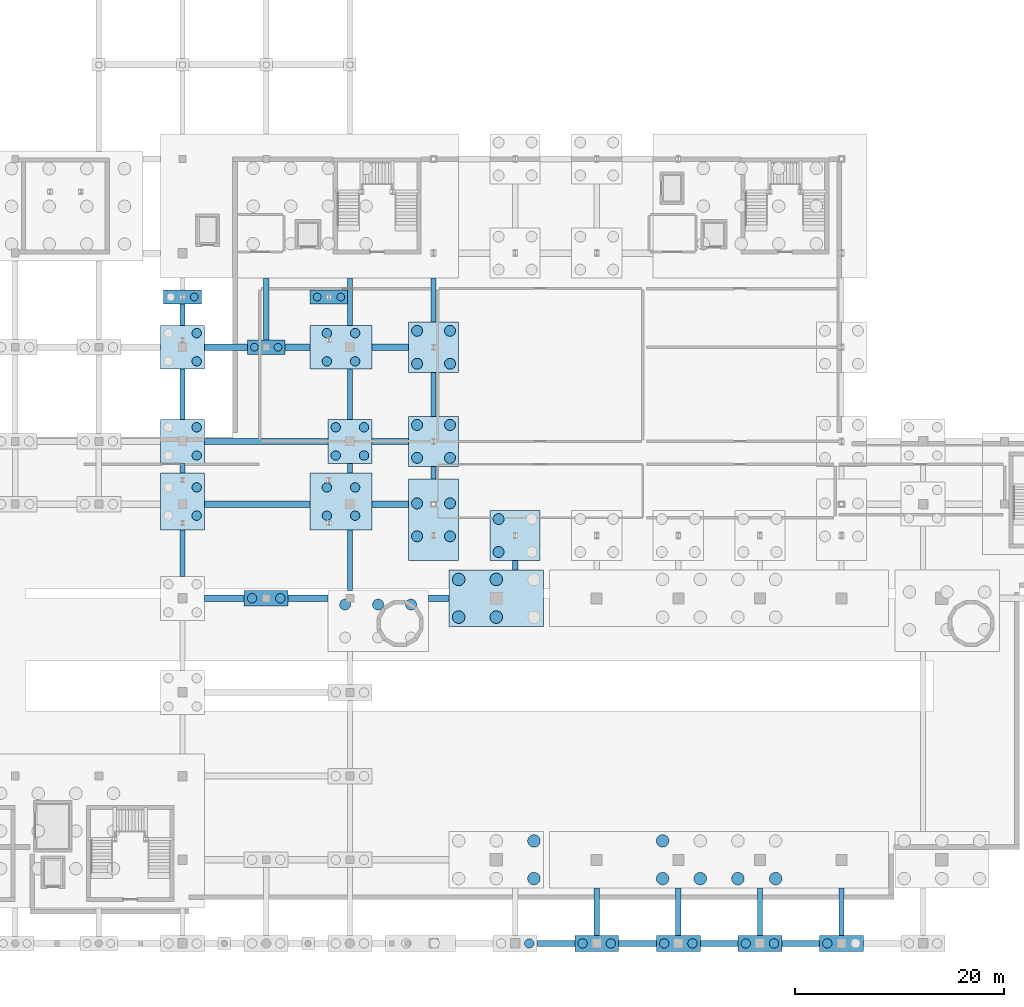
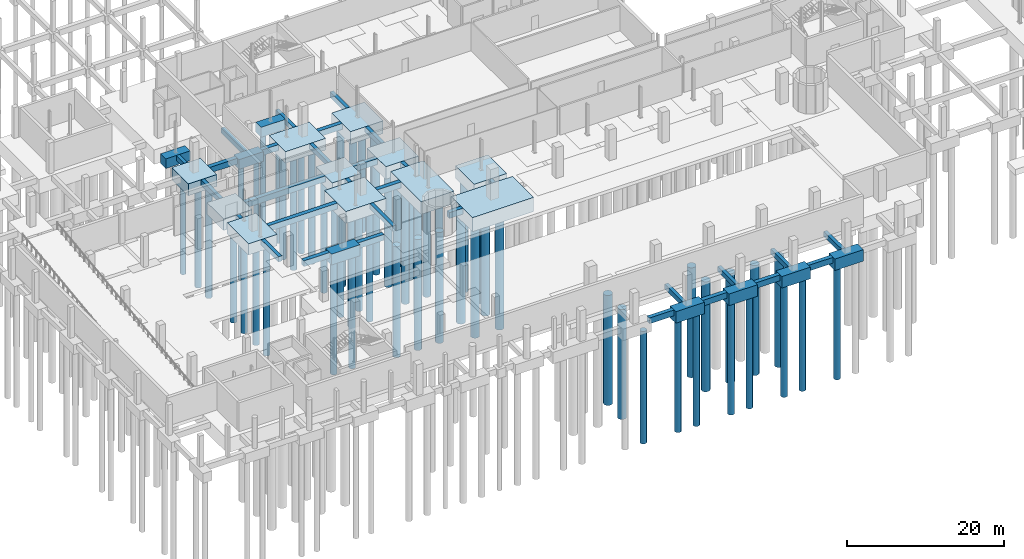
# One storey, part 3 of 32: 61 piles, 50 footings.
"""IFC4 building model written with IfcOpenShell, lengths in metres."""

from ifc_helpers import new_model, si_unit, derived_unit, direction, frame, origin, origin_2d, place, context, subcontext, project, spatial, rectangle, circle, extrude, material, material_profile, profile_set, type_object, element, save


model = new_model("IFC4")

# Units and contexts
model_context = context("Model", 3, precision=1e-05, world=origin(), true_north=direction((0.0, 1.0)))
body_context = subcontext(model_context, "Body", "Model", "MODEL_VIEW")
ifc_project = project(units=[si_unit("LENGTHUNIT", "METRE"), si_unit("AREAUNIT", "SQUARE_METRE"), si_unit("VOLUMEUNIT", "CUBIC_METRE"), si_unit("PLANEANGLEUNIT", "RADIAN"), si_unit("MASSUNIT", "GRAM", prefix="KILO"), derived_unit("THERMALTRANSMITTANCEUNIT", [(si_unit("POWERUNIT", "WATT"), 1), (si_unit("LENGTHUNIT", "METRE"), -2), (si_unit("THERMODYNAMICTEMPERATUREUNIT", "KELVIN"), -1)])], contexts=[model_context])

# Site, building, storey
site_placement = place(None, origin())
site = spatial("IfcSite", under=ifc_project, at=site_placement, CompositionType="ELEMENT")
building_placement = place(site_placement, origin())
building = spatial("IfcBuilding", under=site, at=building_placement, Name="Nallur Shell Playhouse", CompositionType="ELEMENT")
storey_placement = place(building_placement, frame((0.0, 0.0, -4.800048828125)))
storey = spatial("IfcBuildingStorey", under=building, at=storey_placement, Name="B1", CompositionType="ELEMENT", Elevation=-4.800048828125)

# Footings
ifc_material = material(Name="Concrete M35", Category="concrete")
footing_type_1 = type_object("IfcFootingType", Name="FT-PC-360x135x150", PredefinedType="PILE_CAP", material=ifc_material)
for number, where, z_axis, x_axis, name in (
    (1, (48.0, 65.0, -1.5), (0.0, 0.0, 1.0), (1.0, 0.0, 0.0), "Pile cap PC-043"),
    (2, (40.0, 69.800048828125, -1.5), (0.0, 0.0, 1.0), (1.0, 0.0, 0.0), "Pile cap PC-092"),
):
    element("IfcFooting", number, at=place(storey_placement, frame(where, z_axis=z_axis, x_axis=x_axis)), inside=storey, type_object=footing_type_1, Name=name, PredefinedType="PILE_CAP", context=body_context, shape_type="SweptSolid", body=[
        extrude(rectangle(XDim=3.60009765625, YDim=1.35009765625, at=origin_2d()), origin(), (0.0, 0.0, 1.0), 1.5),
    ])
footing_type_2 = type_object("IfcFootingType", Name="FT-PC-360x135x155", PredefinedType="PILE_CAP", material=ifc_material)
footing_1_placement = place(storey_placement, frame((54.0, 69.800048828125, -1.5498046875), z_axis=(0.0, 0.0, 1.0), x_axis=(1.0, 0.0, 0.0)))
element("IfcFooting", 3, at=footing_1_placement, inside=storey, type_object=footing_type_2, Name="Pile cap PC-093", PredefinedType="PILE_CAP", context=body_context, shape_type="SweptSolid", body=[
    extrude(rectangle(XDim=3.60009765625, YDim=1.35009765625, at=origin_2d()), origin(), (0.0, 0.0, 1.0), 1.550048828125),
])
footing_type_3 = type_object("IfcFootingType", Name="FT-PC-420x150x170", PredefinedType="PILE_CAP", material=ifc_material)
footing_2_placement = place(storey_placement, frame((48.0, 41.0, -1.69970703125), z_axis=(0.0, 0.0, 1.0), x_axis=(1.0, 0.0, 0.0)))
element("IfcFooting", 4, at=footing_2_placement, inside=storey, type_object=footing_type_3, Name="Pile cap PC-042", PredefinedType="PILE_CAP", context=body_context, shape_type="SweptSolid", body=[
    extrude(rectangle(XDim=4.199951171875, YDim=1.5, at=origin_2d()), origin(), (0.0, 0.0, 1.0), 1.699951171875),
])
footing_type_4 = type_object("IfcFootingType", Name="FT-PC-420x150x180", PredefinedType="PILE_CAP", material=ifc_material)
for number, where, z_axis, x_axis, name in (
    (5, (79.60009765625, 8.0, -1.7998046875), (0.0, 0.0, 1.0), (1.0, 0.0, 0.0), "Pile cap PC-067"),
    (6, (87.39990234375, 8.0, -1.7998046875), (0.0, 0.0, 1.0), (1.0, 0.0, 0.0), "Pile cap PC-070"),
    (7, (95.199951171875, 8.0, -1.7998046875), (0.0, 0.0, 1.0), (1.0, 0.0, 0.0), "Pile cap PC-072"),
    (8, (103.0, 8.0, -1.7998046875), (0.0, 0.0, 1.0), (1.0, 0.0, 0.0), "Pile cap PC-073"),
):
    element("IfcFooting", number, at=place(storey_placement, frame(where, z_axis=z_axis, x_axis=x_axis)), inside=storey, type_object=footing_type_4, Name=name, PredefinedType="PILE_CAP", context=body_context, shape_type="SweptSolid", body=[
        extrude(rectangle(XDim=4.199951171875, YDim=1.5, at=origin_2d()), origin(), (0.0, 0.0, 1.0), 1.800048828125),
    ])
footing_type_5 = type_object("IfcFootingType", Name="FT-PC-420x420x175", PredefinedType="PILE_CAP", material=ifc_material)
footing_3_placement = place(storey_placement, frame((56.0, 56.0, -1.75), z_axis=(0.0, 0.0, 1.0), x_axis=(1.0, 0.0, 0.0)))
element("IfcFooting", 9, at=footing_3_placement, inside=storey, type_object=footing_type_5, Name="Pile cap PC-054", PredefinedType="PILE_CAP", context=body_context, shape_type="SweptSolid", body=[
    extrude(rectangle(XDim=4.199951171875, YDim=4.199951171875, at=origin_2d()), origin(), (0.0, 0.0, 1.0), 1.75),
])
footing_type_6 = type_object("IfcFootingType", Name="FT-PC-420x420x180", PredefinedType="PILE_CAP", material=ifc_material)
footing_4_placement = place(storey_placement, frame((40.0, 56.0, -1.7998046875), z_axis=(0.0, 0.0, 1.0), x_axis=(1.0, 0.0, 0.0)))
element("IfcFooting", 10, at=footing_4_placement, inside=storey, type_object=footing_type_6, Name="Pile cap PC-033", PredefinedType="PILE_CAP", context=body_context, shape_type="SweptSolid", body=[
    extrude(rectangle(XDim=4.199951171875, YDim=4.199951171875, at=origin_2d()), origin(), (0.0, 0.0, 1.0), 1.800048828125),
])
footing_type_7 = type_object("IfcFootingType", Name="FT-PC-420x420x185", PredefinedType="PILE_CAP", material=ifc_material)
footing_5_placement = place(storey_placement, frame((40.0, 65.0, -1.85009765625), z_axis=(0.0, 0.0, 1.0), x_axis=(1.0, 0.0, 0.0)))
element("IfcFooting", 11, at=footing_5_placement, inside=storey, type_object=footing_type_7, Name="Pile cap PC-034", PredefinedType="PILE_CAP", context=body_context, shape_type="SweptSolid", body=[
    extrude(rectangle(XDim=4.199951171875, YDim=4.199951171875, at=origin_2d()), origin(), (0.0, 0.0, 1.0), 1.85009765625),
])
footing_type_8 = type_object("IfcFootingType", Name="FT-PC-420x545x175", PredefinedType="PILE_CAP", material=ifc_material)
footing_6_placement = place(storey_placement, frame((40.0, 50.25, -1.75), z_axis=(0.0, 0.0, 1.0), x_axis=(1.0, 0.0, 0.0)))
element("IfcFooting", 12, at=footing_6_placement, inside=storey, type_object=footing_type_8, Name="Pile cap PC-032", PredefinedType="PILE_CAP", context=body_context, shape_type="SweptSolid", body=[
    extrude(rectangle(XDim=4.199951171875, YDim=5.449951171875, at=origin_2d()), origin(), (0.0, 0.0, 1.0), 1.75),
])
footing_type_9 = type_object("IfcFootingType", Name="FT-PC-480x480x195", PredefinedType="PILE_CAP", material=ifc_material)
for number, where, z_axis, x_axis, name in (
    (13, (64.0, 56.0, -1.94970703125), (0.0, 0.0, 1.0), (1.0, 0.0, 0.0), "Pile cap PC-062"),
    (14, (64.0, 65.0, -1.94970703125), (0.0, 0.0, 1.0), (1.0, 0.0, 0.0), "Pile cap PC-063"),
    (15, (71.800048828125, 47.0, -1.94970703125), (0.0, 0.0, 1.0), (1.0, 0.0, 0.0), "Pile cap PC-094"),
):
    element("IfcFooting", number, at=place(storey_placement, frame(where, z_axis=z_axis, x_axis=x_axis)), inside=storey, type_object=footing_type_9, Name=name, PredefinedType="PILE_CAP", context=body_context, shape_type="SweptSolid", body=[
        extrude(rectangle(XDim=4.800048828125, YDim=4.800048828125, at=origin_2d()), origin(), (0.0, 0.0, 1.0), 1.949951171875),
    ])
footing_type_10 = type_object("IfcFootingType", Name="FT-PC-480x780x195", PredefinedType="PILE_CAP", material=ifc_material)
footing_7_placement = place(storey_placement, frame((64.0, 48.5, -1.94970703125), z_axis=(0.0, 0.0, 1.0), x_axis=(1.0, 0.0, 0.0)))
element("IfcFooting", 16, at=footing_7_placement, inside=storey, type_object=footing_type_10, Name="Pile cap PC-061", PredefinedType="PILE_CAP", context=body_context, shape_type="SweptSolid", body=[
    extrude(rectangle(XDim=4.800048828125, YDim=7.800048828125, at=origin_2d()), origin(), (0.0, 0.0, 1.0), 1.949951171875),
])
footing_type_11 = type_object("IfcFootingType", Name="FT-PC-590x420x180", PredefinedType="PILE_CAP", material=ifc_material)
footing_8_placement = place(storey_placement, frame((55.14990234375, 65.0, -1.7998046875), z_axis=(0.0, 0.0, 1.0), x_axis=(1.0, 0.0, 0.0)))
element("IfcFooting", 17, at=footing_8_placement, inside=storey, type_object=footing_type_11, Name="Pile cap PC-055", PredefinedType="PILE_CAP", context=body_context, shape_type="SweptSolid", body=[
    extrude(rectangle(XDim=5.89990234375, YDim=4.199951171875, at=origin_2d()), origin(), (0.0, 0.0, 1.0), 1.800048828125),
])
footing_type_12 = type_object("IfcFootingType", Name="FT-PC-590x545x185", PredefinedType="PILE_CAP", material=ifc_material)
footing_9_placement = place(storey_placement, frame((55.14990234375, 50.25, -1.85009765625), z_axis=(0.0, 0.0, 1.0), x_axis=(1.0, 0.0, 0.0)))
element("IfcFooting", 18, at=footing_9_placement, inside=storey, type_object=footing_type_12, Name="Pile cap PC-053", PredefinedType="PILE_CAP", context=body_context, shape_type="SweptSolid", body=[
    extrude(rectangle(XDim=5.89990234375, YDim=5.449951171875, at=origin_2d()), origin(), (0.0, 0.0, 1.0), 1.85009765625),
])
footing_type_13 = type_object("IfcFootingType", Name="FT-PC-900x540x220", PredefinedType="PILE_CAP", material=ifc_material)
footing_10_placement = place(storey_placement, frame((70.0, 41.0, -2.19970703125), z_axis=(0.0, 0.0, 1.0), x_axis=(1.0, 0.0, 0.0)))
element("IfcFooting", 19, at=footing_10_placement, inside=storey, type_object=footing_type_13, Name="Pile cap PC-099", PredefinedType="PILE_CAP", context=body_context, shape_type="SweptSolid", body=[
    extrude(rectangle(XDim=9.0, YDim=5.39990234375, at=origin_2d()), origin(), (0.0, 0.0, 1.0), 2.199951171875),
])
ifc_material_profile_1 = material_profile(ifc_material, rectangle(XDim=0.5, YDim=0.800048828125, at=origin_2d()), Name="RC 500x800")
ifc_profile_set_1 = profile_set([ifc_material_profile_1], Name="Concrete M35")
footing_type_14 = type_object("IfcFootingType", Name="FT-TB-500x800", PredefinedType="FOOTING_BEAM", material=ifc_profile_set_1)
footing_11_placement = place(storey_placement, frame((40.0, 43.10009765625, -0.39990234375), z_axis=(0.0, 1.0, 0.0), x_axis=(-1.0, 0.0, 0.0)))
element("IfcFooting", 20, at=footing_11_placement, inside=storey, type_object=footing_type_14, Name="Ground tie beam TB-Y-110", PredefinedType="FOOTING_BEAM", context=body_context, shape_type="SweptSolid", body=[
    extrude(rectangle(XDim=0.5, YDim=0.800048828125, at=origin_2d()), origin(), (0.0, 0.0, 1.0), 4.4248046875),
])
footing_12_placement = place(storey_placement, frame((40.0, 52.97509765625, -0.39990234375), z_axis=(0.0, 1.0, 0.0), x_axis=(-1.0, 0.0, 0.0)))
element("IfcFooting", 21, at=footing_12_placement, inside=storey, type_object=footing_type_14, Name="Ground tie beam TB-Y-111", PredefinedType="FOOTING_BEAM", context=body_context, shape_type="SweptSolid", body=[
    extrude(rectangle(XDim=0.5, YDim=0.800048828125, at=origin_2d()), origin(), (0.0, 0.0, 1.0), 0.9248046875),
])
footing_13_placement = place(storey_placement, frame((40.0, 58.10009765625, -0.39990234375), z_axis=(0.0, 1.0, 0.0), x_axis=(-1.0, 0.0, 0.0)))
element("IfcFooting", 22, at=footing_13_placement, inside=storey, type_object=footing_type_14, Name="Ground tie beam TB-Y-112", PredefinedType="FOOTING_BEAM", context=body_context, shape_type="SweptSolid", body=[
    extrude(rectangle(XDim=0.5, YDim=0.800048828125, at=origin_2d()), origin(), (0.0, 0.0, 1.0), 4.7998046875),
])
footing_14_placement = place(storey_placement, frame((40.0, 67.10009765625, -0.39990234375), z_axis=(0.0, 1.0, 0.0), x_axis=(-1.0, 0.0, 0.0)))
element("IfcFooting", 23, at=footing_14_placement, inside=storey, type_object=footing_type_14, Name="Ground tie beam TB-Y-113", PredefinedType="FOOTING_BEAM", context=body_context, shape_type="SweptSolid", body=[
    extrude(rectangle(XDim=0.5, YDim=0.800048828125, at=origin_2d()), origin(), (0.0, 0.0, 1.0), 2.02490234375),
])
footing_15_placement = place(storey_placement, frame((48.0, 65.675048828125, -0.39990234375), z_axis=(0.0, 1.0, 0.0), x_axis=(-1.0, 0.0, 0.0)))
element("IfcFooting", 24, at=footing_15_placement, inside=storey, type_object=footing_type_14, Name="Ground tie beam TB-Y-120", PredefinedType="FOOTING_BEAM", context=body_context, shape_type="SweptSolid", body=[
    extrude(rectangle(XDim=0.5, YDim=0.800048828125, at=origin_2d()), origin(), (0.0, 0.0, 1.0), 5.925048828125),
])
footing_16_placement = place(storey_placement, frame((56.0, 41.75, -0.39990234375), z_axis=(0.0, 1.0, 0.0), x_axis=(-1.0, 0.0, 0.0)))
element("IfcFooting", 25, at=footing_16_placement, inside=storey, type_object=footing_type_14, Name="Ground tie beam TB-Y-129", PredefinedType="FOOTING_BEAM", context=body_context, shape_type="SweptSolid", body=[
    extrude(rectangle(XDim=0.5, YDim=0.800048828125, at=origin_2d()), origin(), (0.0, 0.0, 1.0), 5.77490234375),
])
footing_17_placement = place(storey_placement, frame((56.0, 52.97509765625, -0.39990234375), z_axis=(0.0, 1.0, 0.0), x_axis=(-1.0, 0.0, 0.0)))
element("IfcFooting", 26, at=footing_17_placement, inside=storey, type_object=footing_type_14, Name="Ground tie beam TB-Y-130", PredefinedType="FOOTING_BEAM", context=body_context, shape_type="SweptSolid", body=[
    extrude(rectangle(XDim=0.5, YDim=0.800048828125, at=origin_2d()), origin(), (0.0, 0.0, 1.0), 0.9248046875),
])
footing_18_placement = place(storey_placement, frame((56.0, 58.10009765625, -0.39990234375), z_axis=(0.0, 1.0, 0.0), x_axis=(-1.0, 0.0, 0.0)))
element("IfcFooting", 27, at=footing_18_placement, inside=storey, type_object=footing_type_14, Name="Ground tie beam TB-Y-131", PredefinedType="FOOTING_BEAM", context=body_context, shape_type="SweptSolid", body=[
    extrude(rectangle(XDim=0.5, YDim=0.800048828125, at=origin_2d()), origin(), (0.0, 0.0, 1.0), 4.7998046875),
])
footing_19_placement = place(storey_placement, frame((56.0, 67.10009765625, -0.39990234375), z_axis=(0.0, 1.0, 0.0), x_axis=(-1.0, 0.0, 0.0)))
element("IfcFooting", 28, at=footing_19_placement, inside=storey, type_object=footing_type_14, Name="Ground tie beam TB-Y-132", PredefinedType="FOOTING_BEAM", context=body_context, shape_type="SweptSolid", body=[
    extrude(rectangle(XDim=0.5, YDim=0.800048828125, at=origin_2d()), origin(), (0.0, 0.0, 1.0), 4.5),
])
footing_20_placement = place(storey_placement, frame((64.0, 52.39990234375, -0.39990234375), z_axis=(0.0, 1.0, 0.0), x_axis=(-1.0, 0.0, 0.0)))
element("IfcFooting", 29, at=footing_20_placement, inside=storey, type_object=footing_type_14, Name="Ground tie beam TB-Y-137", PredefinedType="FOOTING_BEAM", context=body_context, shape_type="SweptSolid", body=[
    extrude(rectangle(XDim=0.5, YDim=0.800048828125, at=origin_2d()), origin(), (0.0, 0.0, 1.0), 1.2001953125),
])
for number, where, z_axis, x_axis, name in (
    (30, (64.0, 58.39990234375, -0.39990234375), (0.0, 1.0, 0.0), (-1.0, 0.0, 0.0), "Ground tie beam TB-Y-138"),
    (31, (64.0, 67.39990234375, -0.39990234375), (0.0, 1.0, 0.0), (-1.0, 0.0, 0.0), "Ground tie beam TB-Y-139"),
):
    element("IfcFooting", number, at=place(storey_placement, frame(where, z_axis=z_axis, x_axis=x_axis)), inside=storey, type_object=footing_type_14, Name=name, PredefinedType="FOOTING_BEAM", context=body_context, shape_type="SweptSolid", body=[
        extrude(rectangle(XDim=0.5, YDim=0.800048828125, at=origin_2d()), origin(), (0.0, 0.0, 1.0), 4.2001953125),
    ])
footing_21_placement = place(storey_placement, frame((71.800048828125, 43.699951171875, -0.39990234375), z_axis=(0.0, 1.0, 0.0), x_axis=(-1.0, 0.0, 0.0)))
element("IfcFooting", 32, at=footing_21_placement, inside=storey, type_object=footing_type_14, Name="Ground tie beam TB-Y-141", PredefinedType="FOOTING_BEAM", context=body_context, shape_type="SweptSolid", body=[
    extrude(rectangle(XDim=0.5, YDim=0.800048828125, at=origin_2d()), origin(), (0.0, 0.0, 1.0), 0.900146484375),
])
for number, where, z_axis, x_axis, name in (
    (33, (79.60009765625, 8.75, -0.39990234375), (0.0, 1.0, 0.0), (-1.0, 0.0, 0.0), "Ground tie beam TB-Y-143"),
    (34, (87.39990234375, 8.75, -0.39990234375), (0.0, 1.0, 0.0), (-1.0, 0.0, 0.0), "Ground tie beam TB-Y-146"),
    (35, (95.199951171875, 8.75, -0.39990234375), (0.0, 1.0, 0.0), (-1.0, 0.0, 0.0), "Ground tie beam TB-Y-148"),
    (36, (103.0, 8.75, -0.39990234375), (0.0, 1.0, 0.0), (-1.0, 0.0, 0.0), "Ground tie beam TB-Y-150"),
):
    element("IfcFooting", number, at=place(storey_placement, frame(where, z_axis=z_axis, x_axis=x_axis)), inside=storey, type_object=footing_type_14, Name=name, PredefinedType="FOOTING_BEAM", context=body_context, shape_type="SweptSolid", body=[
        extrude(rectangle(XDim=0.5, YDim=0.800048828125, at=origin_2d()), origin(), (0.0, 0.0, 1.0), 4.550048828125),
    ])
ifc_material_profile_2 = material_profile(ifc_material, rectangle(XDim=0.60009765625, YDim=0.89990234375, at=origin_2d()), Name="RC 600x900")
ifc_profile_set_2 = profile_set([ifc_material_profile_2], Name="Concrete M35")
footing_type_15 = type_object("IfcFootingType", Name="FT-TB-600x900", PredefinedType="FOOTING_BEAM", material=ifc_profile_set_2)
for number, where, z_axis, x_axis, name in (
    (37, (73.89990234375, 8.0, -0.449951171875), (1.0, 0.0, 0.0), (0.0, 1.0, 0.0), "Ground tie beam TB-X-011"),
    (38, (81.699951171875, 8.0, -0.449951171875), (1.0, 0.0, 0.0), (0.0, 1.0, 0.0), "Ground tie beam TB-X-012"),
    (39, (89.5, 8.0, -0.449951171875), (1.0, 0.0, 0.0), (0.0, 1.0, 0.0), "Ground tie beam TB-X-013"),
):
    element("IfcFooting", number, at=place(storey_placement, frame(where, z_axis=z_axis, x_axis=x_axis)), inside=storey, type_object=footing_type_15, Name=name, PredefinedType="FOOTING_BEAM", context=body_context, shape_type="SweptSolid", body=[
        extrude(rectangle(XDim=0.60009765625, YDim=0.89990234375, at=origin_2d()), origin(), (0.0, 0.0, 1.0), 3.60009765625),
    ])
footing_22_placement = place(storey_placement, frame((97.300048828125, 8.0, -0.449951171875), z_axis=(1.0, 0.0, 0.0), x_axis=(0.0, 1.0, 0.0)))
element("IfcFooting", 40, at=footing_22_placement, inside=storey, type_object=footing_type_15, Name="Ground tie beam TB-X-014", PredefinedType="FOOTING_BEAM", context=body_context, shape_type="SweptSolid", body=[
    extrude(rectangle(XDim=0.60009765625, YDim=0.89990234375, at=origin_2d()), origin(), (0.0, 0.0, 1.0), 3.599853515625),
])
for number, where, z_axis, x_axis, name in (
    (41, (42.10009765625, 41.0, -0.449951171875), (1.0, 0.0, 0.0), (0.0, 1.0, 0.0), "Ground tie beam TB-X-030"),
    (42, (50.10009765625, 41.0, -0.449951171875), (1.0, 0.0, 0.0), (0.0, 1.0, 0.0), "Ground tie beam TB-X-031"),
):
    element("IfcFooting", number, at=place(storey_placement, frame(where, z_axis=z_axis, x_axis=x_axis)), inside=storey, type_object=footing_type_15, Name=name, PredefinedType="FOOTING_BEAM", context=body_context, shape_type="SweptSolid", body=[
        extrude(rectangle(XDim=0.60009765625, YDim=0.89990234375, at=origin_2d()), origin(), (0.0, 0.0, 1.0), 3.7998046875),
    ])
footing_23_placement = place(storey_placement, frame((63.5, 41.0, -0.449951171875), z_axis=(1.0, 0.0, 0.0), x_axis=(0.0, 1.0, 0.0)))
element("IfcFooting", 43, at=footing_23_placement, inside=storey, type_object=footing_type_15, Name="Ground tie beam TB-X-032", PredefinedType="FOOTING_BEAM", context=body_context, shape_type="SweptSolid", body=[
    extrude(rectangle(XDim=0.60009765625, YDim=0.89990234375, at=origin_2d()), origin(), (0.0, 0.0, 1.0), 2.0),
])
footing_24_placement = place(storey_placement, frame((42.10009765625, 50.0, -0.449951171875), z_axis=(1.0, 0.0, 0.0), x_axis=(0.0, 1.0, 0.0)))
element("IfcFooting", 44, at=footing_24_placement, inside=storey, type_object=footing_type_15, Name="Ground tie beam TB-X-041", PredefinedType="FOOTING_BEAM", context=body_context, shape_type="SweptSolid", body=[
    extrude(rectangle(XDim=0.60009765625, YDim=0.89990234375, at=origin_2d()), origin(), (0.0, 0.0, 1.0), 10.099853515625),
])
footing_25_placement = place(storey_placement, frame((58.10009765625, 50.0, -0.449951171875), z_axis=(1.0, 0.0, 0.0), x_axis=(0.0, 1.0, 0.0)))
element("IfcFooting", 45, at=footing_25_placement, inside=storey, type_object=footing_type_15, Name="Ground tie beam TB-X-042", PredefinedType="FOOTING_BEAM", context=body_context, shape_type="SweptSolid", body=[
    extrude(rectangle(XDim=0.60009765625, YDim=0.89990234375, at=origin_2d()), origin(), (0.0, 0.0, 1.0), 3.5),
])
footing_26_placement = place(storey_placement, frame((42.10009765625, 56.0, -0.449951171875), z_axis=(1.0, 0.0, 0.0), x_axis=(0.0, 1.0, 0.0)))
element("IfcFooting", 46, at=footing_26_placement, inside=storey, type_object=footing_type_15, Name="Ground tie beam TB-X-050", PredefinedType="FOOTING_BEAM", context=body_context, shape_type="SweptSolid", body=[
    extrude(rectangle(XDim=0.60009765625, YDim=0.89990234375, at=origin_2d()), origin(), (0.0, 0.0, 1.0), 11.7998046875),
])
footing_27_placement = place(storey_placement, frame((58.10009765625, 56.0, -0.449951171875), z_axis=(1.0, 0.0, 0.0), x_axis=(0.0, 1.0, 0.0)))
element("IfcFooting", 47, at=footing_27_placement, inside=storey, type_object=footing_type_15, Name="Ground tie beam TB-X-051", PredefinedType="FOOTING_BEAM", context=body_context, shape_type="SweptSolid", body=[
    extrude(rectangle(XDim=0.60009765625, YDim=0.89990234375, at=origin_2d()), origin(), (0.0, 0.0, 1.0), 3.5),
])
footing_28_placement = place(storey_placement, frame((42.10009765625, 65.0, -0.449951171875), z_axis=(1.0, 0.0, 0.0), x_axis=(0.0, 1.0, 0.0)))
element("IfcFooting", 48, at=footing_28_placement, inside=storey, type_object=footing_type_15, Name="Ground tie beam TB-X-059", PredefinedType="FOOTING_BEAM", context=body_context, shape_type="SweptSolid", body=[
    extrude(rectangle(XDim=0.60009765625, YDim=0.89990234375, at=origin_2d()), origin(), (0.0, 0.0, 1.0), 4.099853515625),
])
footing_29_placement = place(storey_placement, frame((49.800048828125, 65.0, -0.449951171875), z_axis=(1.0, 0.0, 0.0), x_axis=(0.0, 1.0, 0.0)))
element("IfcFooting", 49, at=footing_29_placement, inside=storey, type_object=footing_type_15, Name="Ground tie beam TB-X-060", PredefinedType="FOOTING_BEAM", context=body_context, shape_type="SweptSolid", body=[
    extrude(rectangle(XDim=0.60009765625, YDim=0.89990234375, at=origin_2d()), origin(), (0.0, 0.0, 1.0), 2.39990234375),
])
footing_30_placement = place(storey_placement, frame((58.10009765625, 65.0, -0.449951171875), z_axis=(1.0, 0.0, 0.0), x_axis=(0.0, 1.0, 0.0)))
element("IfcFooting", 50, at=footing_30_placement, inside=storey, type_object=footing_type_15, Name="Ground tie beam TB-X-061", PredefinedType="FOOTING_BEAM", context=body_context, shape_type="SweptSolid", body=[
    extrude(rectangle(XDim=0.60009765625, YDim=0.89990234375, at=origin_2d()), origin(), (0.0, 0.0, 1.0), 3.5),
])

# Piles
ifc_material_profile_3 = material_profile(ifc_material, circle(Radius=0.52490234375, at=origin_2d()), Name="BORED PILE D1050")
ifc_profile_set_3 = profile_set([ifc_material_profile_3], Name="Concrete M35")
pile_type_1 = type_object("IfcPileType", Name="PL-D1050", PredefinedType="BORED", material=ifc_profile_set_3)
for number, where, z_axis, x_axis, name in (
    (51, (55.550048828125, 40.39990234375, -1.949951171875), (0.0, 0.0, -1.0), (1.0, 0.0, 0.0), "Bored pile BP-146"),
    (52, (58.699951171875, 40.39990234375, -1.949951171875), (0.0, 0.0, -1.0), (1.0, 0.0, 0.0), "Bored pile BP-148"),
    (53, (61.85009765625, 40.39990234375, -1.949951171875), (0.0, 0.0, -1.0), (1.0, 0.0, 0.0), "Bored pile BP-150"),
):
    element("IfcPile", number, at=place(storey_placement, frame(where, z_axis=z_axis, x_axis=x_axis)), inside=storey, type_object=pile_type_1, Name=name, PredefinedType="BORED", context=body_context, shape_type="SweptSolid", body=[
        extrude(circle(Radius=0.52490234375, at=origin_2d()), origin(), (0.0, 0.0, 1.0), 17.25),
    ])
for number, where, z_axis, x_axis, name in (
    (54, (62.425048828125, 46.925048828125, -1.849853515625), (0.0, 0.0, -1.0), (1.0, 0.0, 0.0), "Bored pile BP-169"),
    (55, (62.425048828125, 50.074951171875, -1.849853515625), (0.0, 0.0, -1.0), (1.0, 0.0, 0.0), "Bored pile BP-170"),
    (56, (65.574951171875, 46.925048828125, -1.849853515625), (0.0, 0.0, -1.0), (1.0, 0.0, 0.0), "Bored pile BP-171"),
    (57, (65.574951171875, 50.074951171875, -1.849853515625), (0.0, 0.0, -1.0), (1.0, 0.0, 0.0), "Bored pile BP-172"),
    (58, (62.425048828125, 54.425048828125, -1.849853515625), (0.0, 0.0, -1.0), (1.0, 0.0, 0.0), "Bored pile BP-173"),
    (59, (62.425048828125, 57.574951171875, -1.849853515625), (0.0, 0.0, -1.0), (1.0, 0.0, 0.0), "Bored pile BP-174"),
    (60, (65.574951171875, 54.425048828125, -1.849853515625), (0.0, 0.0, -1.0), (1.0, 0.0, 0.0), "Bored pile BP-175"),
    (61, (65.574951171875, 57.574951171875, -1.849853515625), (0.0, 0.0, -1.0), (1.0, 0.0, 0.0), "Bored pile BP-176"),
    (62, (62.425048828125, 63.425048828125, -1.849853515625), (0.0, 0.0, -1.0), (1.0, 0.0, 0.0), "Bored pile BP-177"),
    (63, (62.425048828125, 66.574951171875, -1.849853515625), (0.0, 0.0, -1.0), (1.0, 0.0, 0.0), "Bored pile BP-178"),
    (64, (65.574951171875, 63.425048828125, -1.849853515625), (0.0, 0.0, -1.0), (1.0, 0.0, 0.0), "Bored pile BP-179"),
    (65, (65.574951171875, 66.574951171875, -1.849853515625), (0.0, 0.0, -1.0), (1.0, 0.0, 0.0), "Bored pile BP-180"),
    (66, (70.22509765625, 45.425048828125, -1.849853515625), (0.0, 0.0, -1.0), (1.0, 0.0, 0.0), "Bored pile BP-284"),
    (67, (70.22509765625, 48.574951171875, -1.849853515625), (0.0, 0.0, -1.0), (1.0, 0.0, 0.0), "Bored pile BP-285"),
):
    element("IfcPile", number, at=place(storey_placement, frame(where, z_axis=z_axis, x_axis=x_axis)), inside=storey, type_object=pile_type_1, Name=name, PredefinedType="BORED", context=body_context, shape_type="SweptSolid", body=[
        extrude(circle(Radius=0.52490234375, at=origin_2d()), origin(), (0.0, 0.0, 1.0), 17.35009765625),
    ])
ifc_material_profile_4 = material_profile(ifc_material, circle(Radius=0.60009765625, at=origin_2d()), Name="BORED PILE D1200")
ifc_profile_set_4 = profile_set([ifc_material_profile_4], Name="Concrete M35")
pile_type_2 = type_object("IfcPileType", Name="PL-D1200", PredefinedType="BORED", material=ifc_profile_set_4)
for number, where, z_axis, x_axis, name in (
    (68, (73.60009765625, 14.199951171875, -2.099853515625), (0.0, 0.0, -1.0), (1.0, 0.0, 0.0), "Bored pile BP-304"),
    (69, (73.60009765625, 17.800048828125, -2.099853515625), (0.0, 0.0, -1.0), (1.0, 0.0, 0.0), "Bored pile BP-305"),
    (70, (66.39990234375, 39.199951171875, -2.099853515625), (0.0, 0.0, -1.0), (1.0, 0.0, 0.0), "Bored pile BP-306"),
    (71, (66.39990234375, 42.800048828125, -2.099853515625), (0.0, 0.0, -1.0), (1.0, 0.0, 0.0), "Bored pile BP-307"),
    (72, (70.0, 39.199951171875, -2.099853515625), (0.0, 0.0, -1.0), (1.0, 0.0, 0.0), "Bored pile BP-308"),
    (73, (70.0, 42.800048828125, -2.099853515625), (0.0, 0.0, -1.0), (1.0, 0.0, 0.0), "Bored pile BP-309"),
    (74, (85.89990234375, 14.199951171875, -2.099853515625), (0.0, 0.0, -1.0), (1.0, 0.0, 0.0), "Bored pile BP-312"),
    (75, (85.89990234375, 17.800048828125, -2.099853515625), (0.0, 0.0, -1.0), (1.0, 0.0, 0.0), "Bored pile BP-313"),
    (76, (89.5, 14.199951171875, -2.099853515625), (0.0, 0.0, -1.0), (1.0, 0.0, 0.0), "Bored pile BP-314"),
    (77, (93.10009765625, 14.199951171875, -2.099853515625), (0.0, 0.0, -1.0), (1.0, 0.0, 0.0), "Bored pile BP-316"),
    (78, (96.699951171875, 14.199951171875, -2.099853515625), (0.0, 0.0, -1.0), (1.0, 0.0, 0.0), "Bored pile BP-318"),
):
    element("IfcPile", number, at=place(storey_placement, frame(where, z_axis=z_axis, x_axis=x_axis)), inside=storey, type_object=pile_type_2, Name=name, PredefinedType="BORED", context=body_context, shape_type="SweptSolid", body=[
        extrude(circle(Radius=0.60009765625, at=origin_2d()), origin(), (0.0, 0.0, 1.0), 17.10009765625),
    ])
ifc_material_profile_5 = material_profile(ifc_material, circle(Radius=0.375, at=origin_2d()), Name="BORED PILE D750")
ifc_profile_set_5 = profile_set([ifc_material_profile_5], Name="Concrete M35")
pile_type_3 = type_object("IfcPileType", Name="PL-D750", PredefinedType="BORED", material=ifc_profile_set_5)
for number, where, z_axis, x_axis, name in (
    (79, (46.875, 65.0, -1.39990234375), (0.0, 0.0, -1.0), (1.0, 0.0, 0.0), "Bored pile BP-131"),
    (80, (49.125, 65.0, -1.39990234375), (0.0, 0.0, -1.0), (1.0, 0.0, 0.0), "Bored pile BP-132"),
    (81, (41.125, 69.800048828125, -1.39990234375), (0.0, 0.0, -1.0), (1.0, 0.0, 0.0), "Bored pile BP-281"),
):
    element("IfcPile", number, at=place(storey_placement, frame(where, z_axis=z_axis, x_axis=x_axis)), inside=storey, type_object=pile_type_3, Name=name, PredefinedType="BORED", context=body_context, shape_type="SweptSolid", body=[
        extrude(circle(Radius=0.375, at=origin_2d()), origin(), (0.0, 0.0, 1.0), 17.800048828125),
    ])
for number, where, z_axis, x_axis, name in (
    (82, (52.875, 69.800048828125, -1.449951171875), (0.0, 0.0, -1.0), (1.0, 0.0, 0.0), "Bored pile BP-282"),
    (83, (55.125, 69.800048828125, -1.449951171875), (0.0, 0.0, -1.0), (1.0, 0.0, 0.0), "Bored pile BP-283"),
):
    element("IfcPile", number, at=place(storey_placement, frame(where, z_axis=z_axis, x_axis=x_axis)), inside=storey, type_object=pile_type_3, Name=name, PredefinedType="BORED", context=body_context, shape_type="SweptSolid", body=[
        extrude(circle(Radius=0.375, at=origin_2d()), origin(), (0.0, 0.0, 1.0), 17.75),
    ])
ifc_material_profile_6 = material_profile(ifc_material, circle(Radius=0.449951171875, at=origin_2d()), Name="BORED PILE D900")
ifc_profile_set_6 = profile_set([ifc_material_profile_6], Name="Concrete M35")
pile_type_4 = type_object("IfcPileType", Name="PL-D900", PredefinedType="BORED", material=ifc_profile_set_6)
for number, where, z_axis, x_axis, name in (
    (84, (41.35009765625, 48.89990234375, -1.64990234375), (0.0, 0.0, -1.0), (1.0, 0.0, 0.0), "Bored pile BP-099"),
    (85, (41.35009765625, 51.60009765625, -1.64990234375), (0.0, 0.0, -1.0), (1.0, 0.0, 0.0), "Bored pile BP-100"),
):
    element("IfcPile", number, at=place(storey_placement, frame(where, z_axis=z_axis, x_axis=x_axis)), inside=storey, type_object=pile_type_4, Name=name, PredefinedType="BORED", context=body_context, shape_type="SweptSolid", body=[
        extrude(circle(Radius=0.449951171875, at=origin_2d()), origin(), (0.0, 0.0, 1.0), 17.550048828125),
    ])
for number, where, z_axis, x_axis, name in (
    (86, (41.35009765625, 54.64990234375, -1.699951171875), (0.0, 0.0, -1.0), (1.0, 0.0, 0.0), "Bored pile BP-103"),
    (87, (41.35009765625, 57.35009765625, -1.699951171875), (0.0, 0.0, -1.0), (1.0, 0.0, 0.0), "Bored pile BP-104"),
):
    element("IfcPile", number, at=place(storey_placement, frame(where, z_axis=z_axis, x_axis=x_axis)), inside=storey, type_object=pile_type_4, Name=name, PredefinedType="BORED", context=body_context, shape_type="SweptSolid", body=[
        extrude(circle(Radius=0.449951171875, at=origin_2d()), origin(), (0.0, 0.0, 1.0), 17.5),
    ])
for number, where, z_axis, x_axis, name in (
    (88, (41.35009765625, 63.64990234375, -1.75), (0.0, 0.0, -1.0), (1.0, 0.0, 0.0), "Bored pile BP-107"),
    (89, (41.35009765625, 66.35009765625, -1.75), (0.0, 0.0, -1.0), (1.0, 0.0, 0.0), "Bored pile BP-108"),
):
    element("IfcPile", number, at=place(storey_placement, frame(where, z_axis=z_axis, x_axis=x_axis)), inside=storey, type_object=pile_type_4, Name=name, PredefinedType="BORED", context=body_context, shape_type="SweptSolid", body=[
        extrude(circle(Radius=0.449951171875, at=origin_2d()), origin(), (0.0, 0.0, 1.0), 17.449951171875),
    ])
for number, where, z_axis, x_axis, name in (
    (90, (46.64990234375, 41.0, -1.599853515625), (0.0, 0.0, -1.0), (1.0, 0.0, 0.0), "Bored pile BP-129"),
    (91, (49.35009765625, 41.0, -1.599853515625), (0.0, 0.0, -1.0), (1.0, 0.0, 0.0), "Bored pile BP-130"),
):
    element("IfcPile", number, at=place(storey_placement, frame(where, z_axis=z_axis, x_axis=x_axis)), inside=storey, type_object=pile_type_4, Name=name, PredefinedType="BORED", context=body_context, shape_type="SweptSolid", body=[
        extrude(circle(Radius=0.449951171875, at=origin_2d()), origin(), (0.0, 0.0, 1.0), 17.60009765625),
    ])
for number, where, z_axis, x_axis, name in (
    (92, (53.800048828125, 48.89990234375, -1.75), (0.0, 0.0, -1.0), (1.0, 0.0, 0.0), "Bored pile BP-151"),
    (93, (53.800048828125, 51.60009765625, -1.75), (0.0, 0.0, -1.0), (1.0, 0.0, 0.0), "Bored pile BP-152"),
    (94, (56.5, 48.89990234375, -1.75), (0.0, 0.0, -1.0), (1.0, 0.0, 0.0), "Bored pile BP-153"),
    (95, (56.5, 51.60009765625, -1.75), (0.0, 0.0, -1.0), (1.0, 0.0, 0.0), "Bored pile BP-154"),
):
    element("IfcPile", number, at=place(storey_placement, frame(where, z_axis=z_axis, x_axis=x_axis)), inside=storey, type_object=pile_type_4, Name=name, PredefinedType="BORED", context=body_context, shape_type="SweptSolid", body=[
        extrude(circle(Radius=0.449951171875, at=origin_2d()), origin(), (0.0, 0.0, 1.0), 17.449951171875),
    ])
for number, where, z_axis, x_axis, name in (
    (96, (54.64990234375, 54.64990234375, -1.64990234375), (0.0, 0.0, -1.0), (1.0, 0.0, 0.0), "Bored pile BP-155"),
    (97, (54.64990234375, 57.35009765625, -1.64990234375), (0.0, 0.0, -1.0), (1.0, 0.0, 0.0), "Bored pile BP-156"),
    (98, (57.35009765625, 54.64990234375, -1.64990234375), (0.0, 0.0, -1.0), (1.0, 0.0, 0.0), "Bored pile BP-157"),
    (99, (57.35009765625, 57.35009765625, -1.64990234375), (0.0, 0.0, -1.0), (1.0, 0.0, 0.0), "Bored pile BP-158"),
):
    element("IfcPile", number, at=place(storey_placement, frame(where, z_axis=z_axis, x_axis=x_axis)), inside=storey, type_object=pile_type_4, Name=name, PredefinedType="BORED", context=body_context, shape_type="SweptSolid", body=[
        extrude(circle(Radius=0.449951171875, at=origin_2d()), origin(), (0.0, 0.0, 1.0), 17.550048828125),
    ])
for number, where, z_axis, x_axis, name in (
    (100, (53.800048828125, 63.64990234375, -1.699951171875), (0.0, 0.0, -1.0), (1.0, 0.0, 0.0), "Bored pile BP-159"),
    (101, (53.800048828125, 66.35009765625, -1.699951171875), (0.0, 0.0, -1.0), (1.0, 0.0, 0.0), "Bored pile BP-160"),
    (102, (56.5, 63.64990234375, -1.699951171875), (0.0, 0.0, -1.0), (1.0, 0.0, 0.0), "Bored pile BP-161"),
    (103, (56.5, 66.35009765625, -1.699951171875), (0.0, 0.0, -1.0), (1.0, 0.0, 0.0), "Bored pile BP-162"),
    (104, (73.14990234375, 8.0, -1.699951171875), (0.0, 0.0, -1.0), (1.0, 0.0, 0.0), "Bored pile BP-182"),
    (105, (78.25, 8.0, -1.699951171875), (0.0, 0.0, -1.0), (1.0, 0.0, 0.0), "Bored pile BP-191"),
    (106, (80.949951171875, 8.0, -1.699951171875), (0.0, 0.0, -1.0), (1.0, 0.0, 0.0), "Bored pile BP-192"),
    (107, (86.050048828125, 8.0, -1.699951171875), (0.0, 0.0, -1.0), (1.0, 0.0, 0.0), "Bored pile BP-201"),
    (108, (88.75, 8.0, -1.699951171875), (0.0, 0.0, -1.0), (1.0, 0.0, 0.0), "Bored pile BP-202"),
    (109, (93.85009765625, 8.0, -1.699951171875), (0.0, 0.0, -1.0), (1.0, 0.0, 0.0), "Bored pile BP-215"),
    (110, (96.550048828125, 8.0, -1.699951171875), (0.0, 0.0, -1.0), (1.0, 0.0, 0.0), "Bored pile BP-216"),
    (111, (101.64990234375, 8.0, -1.699951171875), (0.0, 0.0, -1.0), (1.0, 0.0, 0.0), "Bored pile BP-217"),
):
    element("IfcPile", number, at=place(storey_placement, frame(where, z_axis=z_axis, x_axis=x_axis)), inside=storey, type_object=pile_type_4, Name=name, PredefinedType="BORED", context=body_context, shape_type="SweptSolid", body=[
        extrude(circle(Radius=0.449951171875, at=origin_2d()), origin(), (0.0, 0.0, 1.0), 17.5),
    ])

save(model, "model.ifc")
